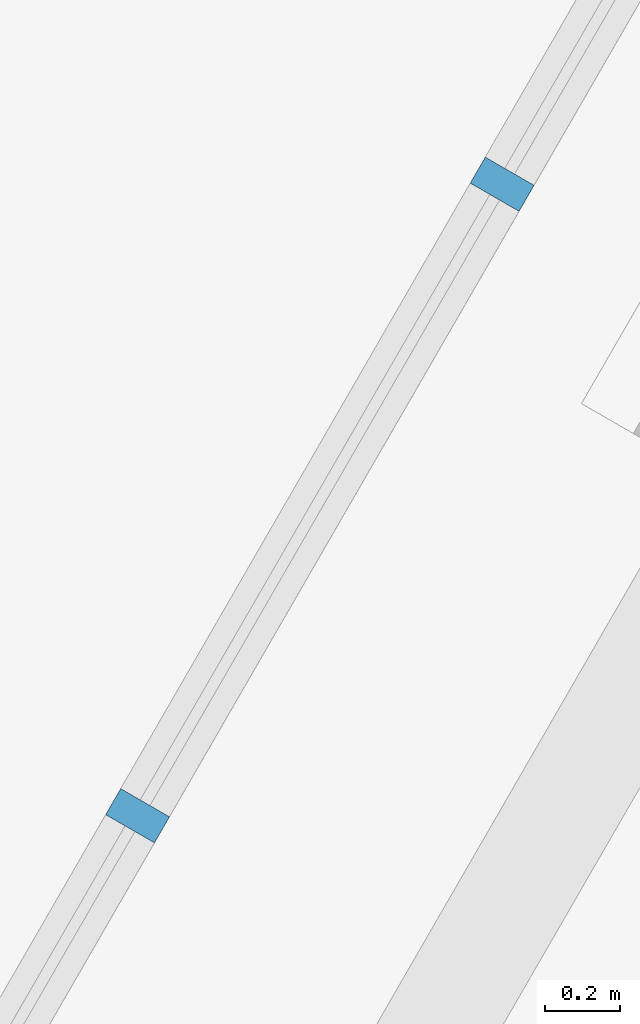
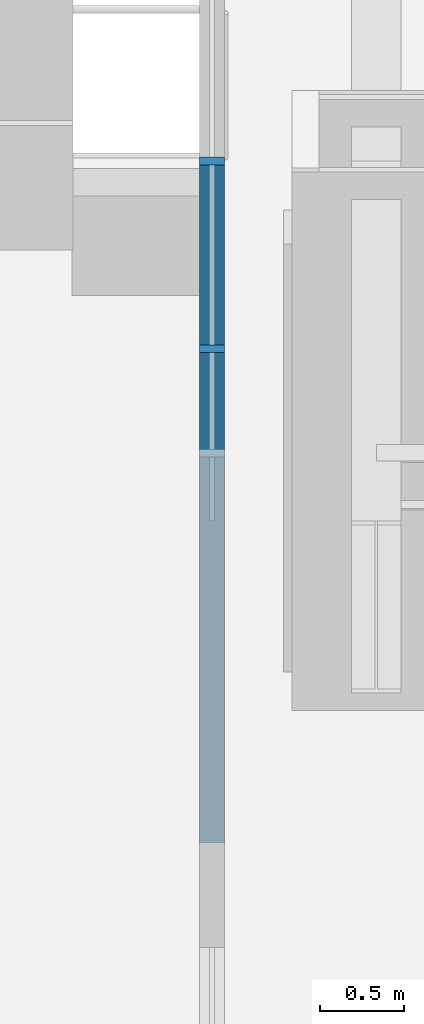
# One storey, part 8 of 32: 2 members, 1 element without a shape of its own.
"""IFC4 building model written with IfcOpenShell, lengths in metres."""

from ifc_helpers import new_model, si_unit, direction, frame, origin, origin_2d, place, context, subcontext, project, spatial, rectangle, extrude, material, layer, layer_set, material_profile, profile_set, type_object, element, aggregate, save


model = new_model("IFC4")

# Units and contexts
model_context = context("Model", 3, precision=1e-05, world=origin(), true_north=direction((0.0, 1.0)))
body_context = subcontext(model_context, "Body", "Model", "MODEL_VIEW")
ifc_project = project(units=[si_unit("LENGTHUNIT", "METRE"), si_unit("AREAUNIT", "SQUARE_METRE"), si_unit("VOLUMEUNIT", "CUBIC_METRE"), si_unit("PLANEANGLEUNIT", "RADIAN"), si_unit("MASSUNIT", "GRAM", prefix="KILO")], contexts=[model_context])

# Site, building, storey
site_placement = place(None, origin())
site = spatial("IfcSite", under=ifc_project, at=site_placement, CompositionType="ELEMENT")
building_placement = place(site_placement, origin())
building = spatial("IfcBuilding", under=site, at=building_placement, Name="Firuza Gate Tower and Library", CompositionType="ELEMENT")
storey_placement = place(building_placement, frame((0.0, 0.0, 163.60009765625)))
storey = spatial("IfcBuildingStorey", under=building, at=storey_placement, Name="L37", CompositionType="ELEMENT", Elevation=163.60009765625)

# Curtain wall, members
ifc_material_1 = material(Name="Aluminium 6063-T6", Category="aluminium")
ifc_layer = layer(ifc_material_1, 0.14990234375)
ifc_layer_set = layer_set([ifc_layer], Name="Unitised curtain wall, hotel")
curtain_wall_type = type_object("IfcCurtainWallType", Name="Unitised curtain wall, hotel", PredefinedType="NOTDEFINED", material=ifc_layer_set)
curtain_wall_placement = place(storey_placement, origin())
curtain_wall = element("IfcCurtainWall", 1, at=curtain_wall_placement, inside=storey, type_object=curtain_wall_type, Name="CW2 L37 W face", PredefinedType="NOTDEFINED")
ifc_material_2 = material(Name="Aluminium 6063-T6", Category="aluminium")
ifc_material_profile = material_profile(ifc_material_2, rectangle(XDim=0.14990234375, YDim=0.080078125, at=origin_2d()))
ifc_profile_set = profile_set([ifc_material_profile], Name="Aluminium 6063-T6")
member_type = type_object("IfcMemberType", Name="Curtain wall mullion 80x150", PredefinedType="MULLION", material=ifc_profile_set)
member_1_placement = place(storey_placement, frame((57.754150390625, 84.95703125, 0.14990234375), z_axis=(0.0, 0.0, 1.0), x_axis=(0.866025403784, -0.5, 0.0)))
member_1 = element("IfcMember", 2, at=member_1_placement, type_object=member_type, Name="Mullion", PredefinedType="MULLION", context=body_context, shape_type="SweptSolid", body=[
    extrude(rectangle(XDim=0.14990234375, YDim=0.080078125, at=origin_2d()), origin(), (0.0, 0.0, 1.0), 3.550048828125),
])
member_2_placement = place(storey_placement, frame((56.783447265625, 83.275634765625, 0.14990234375), z_axis=(0.0, 0.0, 1.0), x_axis=(0.866025403784, -0.5, 0.0)))
member_2 = element("IfcMember", 3, at=member_2_placement, type_object=member_type, Name="Mullion", PredefinedType="MULLION", context=body_context, shape_type="SweptSolid", body=[
    extrude(rectangle(XDim=0.14990234375, YDim=0.080078125, at=origin_2d()), origin(), (0.0, 0.0, 1.0), 3.550048828125),
])
aggregate(curtain_wall, [member_1, member_2])

save(model, "model.ifc")
